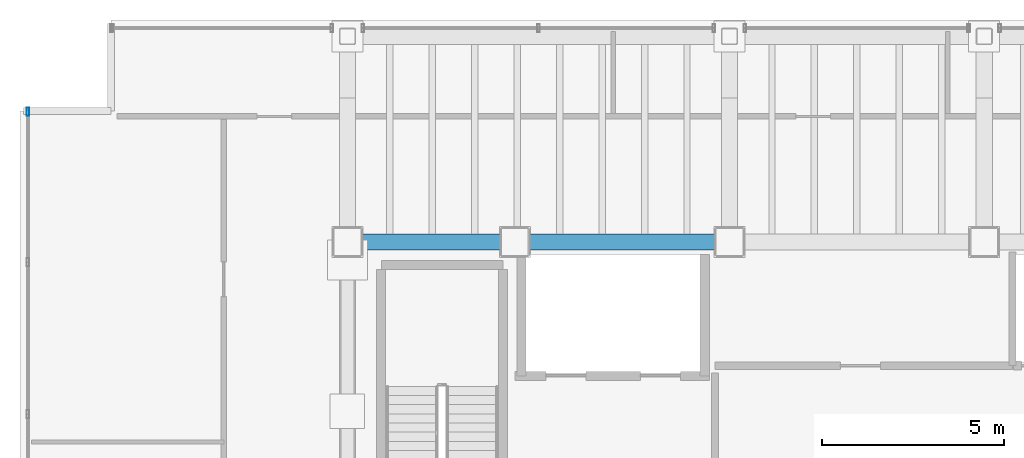
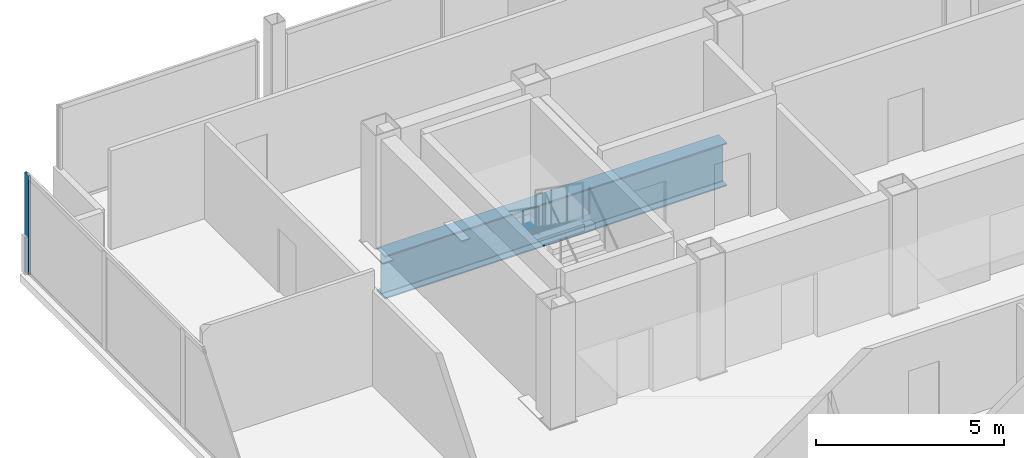
# One storey, part 9 of 19: 1 beam, 1 member, 1 element without a shape of its own.
"""IFC4 building model written with IfcOpenShell, lengths in metres."""

from ifc_helpers import new_model, si_unit, direction, frame, origin, origin_2d, place, context, subcontext, project, spatial, hollow_rectangle, i_section, extrude, material, material_profile, profile_set, type_object, element, aggregate, save


model = new_model("IFC4")

# Units and contexts
model_context = context("Model", 3, precision=1e-05, world=origin(), true_north=direction((0.0, 1.0)))
body_context = subcontext(model_context, "Body", "Model", "MODEL_VIEW")
ifc_project = project(units=[si_unit("LENGTHUNIT", "METRE"), si_unit("AREAUNIT", "SQUARE_METRE"), si_unit("VOLUMEUNIT", "CUBIC_METRE"), si_unit("PLANEANGLEUNIT", "RADIAN"), si_unit("MASSUNIT", "GRAM", prefix="KILO")], contexts=[model_context])

# Site, building, storey
site_placement = place(None, origin())
site = spatial("IfcSite", under=ifc_project, at=site_placement, CompositionType="ELEMENT")
building_placement = place(site_placement, origin())
building = spatial("IfcBuilding", under=site, at=building_placement, Name="Noeulbin Bourse Tower", CompositionType="ELEMENT")
storey_placement = place(building_placement, frame((0.0, 0.0, 257.89990234375)))
storey = spatial("IfcBuildingStorey", under=building, at=storey_placement, Name="L64", CompositionType="ELEMENT", Elevation=257.89990234375)

# Beam
ifc_material_1 = material(Name="Steel S460", Category="steel")
ifc_material_profile_1 = material_profile(ifc_material_1, i_section(OverallWidth=0.449951171875, OverallDepth=1.39990234375, WebThickness=0.02392578125, FlangeThickness=0.0400390625, FilletRadius=0.02392578125, at=origin_2d()), Name="PG-1400x450x24x40", Category="LoadBearing")
ifc_profile_set_1 = profile_set([ifc_material_profile_1], Name="Steel S460")
beam_type = type_object("IfcBeamType", Name="BM-TRF-1400", PredefinedType="USERDEFINED", material=ifc_profile_set_1)
beam_placement = place(storey_placement, frame((13.5, 38.300048828125, -0.93994140625), z_axis=(1.0, 0.0, 0.0), x_axis=(0.0, 1.0, 0.0)))
element("IfcBeam", 1, at=beam_placement, inside=storey, type_object=beam_type, Name="Tower Primary Girder EW L64-3.1", ObjectType="GIRDER", PredefinedType="USERDEFINED", context=body_context, shape_type="SweptSolid", body=[
    extrude(i_section(OverallWidth=0.449951171875, OverallDepth=1.39990234375, WebThickness=0.02392578125, FlangeThickness=0.0400390625, FilletRadius=0.02392578125, at=origin_2d()), origin(), (0.0, 0.0, 1.0), 10.5),
])

# Curtain wall, member
ifc_material_2 = material(Name="High-Selectivity Low-Iron Glazing", Category="glass")
curtain_wall_type = type_object("IfcCurtainWallType", Name="CW-SYS-4", PredefinedType="NOTDEFINED", material=ifc_material_2)
curtain_wall_placement = place(storey_placement, origin())
curtain_wall = element("IfcCurtainWall", 2, at=curtain_wall_placement, inside=storey, type_object=curtain_wall_type, Name="Unitised Curtain Wall CW-L64-W-S2", PredefinedType="NOTDEFINED")
ifc_material_3 = material(Name="Anodised Aluminium 6063-T6", Category="aluminium")
ifc_material_profile_2 = material_profile(ifc_material_3, hollow_rectangle(XDim=0.074951171875, YDim=0.219970703125, WallThickness=0.0048828125, InnerFilletRadius=0.00244140625, OuterFilletRadius=0.0048828125, at=origin_2d()), Name="ALU-MULL-75x220x5", Category="LoadBearing")
ifc_profile_set_2 = profile_set([ifc_material_profile_2], Name="Anodised Aluminium 6063-T6")
member_type = type_object("IfcMemberType", Name="CW-SYS-4-MUL", PredefinedType="MULLION", material=ifc_profile_set_2)
member_placement = place(storey_placement, frame((4.719970703125, 41.8798828125, -0.02001953125), z_axis=(0.0, 0.0, 1.0), x_axis=(1.0, 0.0, 0.0)))
member = element("IfcMember", 3, at=member_placement, type_object=member_type, Name="Curtain Wall Mullion CW-L64-W-S2-M03", PredefinedType="MULLION", context=body_context, shape_type="SweptSolid", body=[
    extrude(hollow_rectangle(XDim=0.074951171875, YDim=0.219970703125, WallThickness=0.0048828125, InnerFilletRadius=0.00244140625, OuterFilletRadius=0.0048828125, at=origin_2d()), origin(), (0.0, 0.0, 1.0), 3.22021484375),
])
aggregate(curtain_wall, [member])

save(model, "model.ifc")
